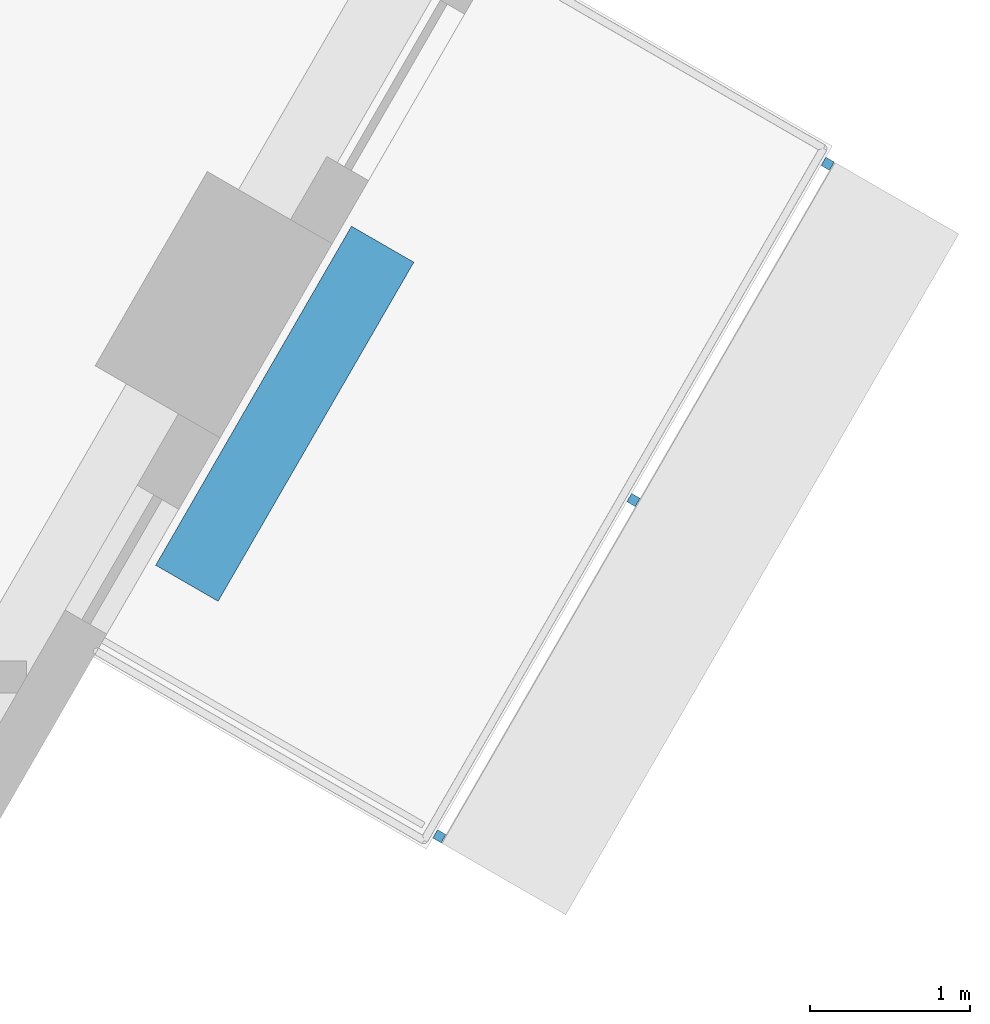
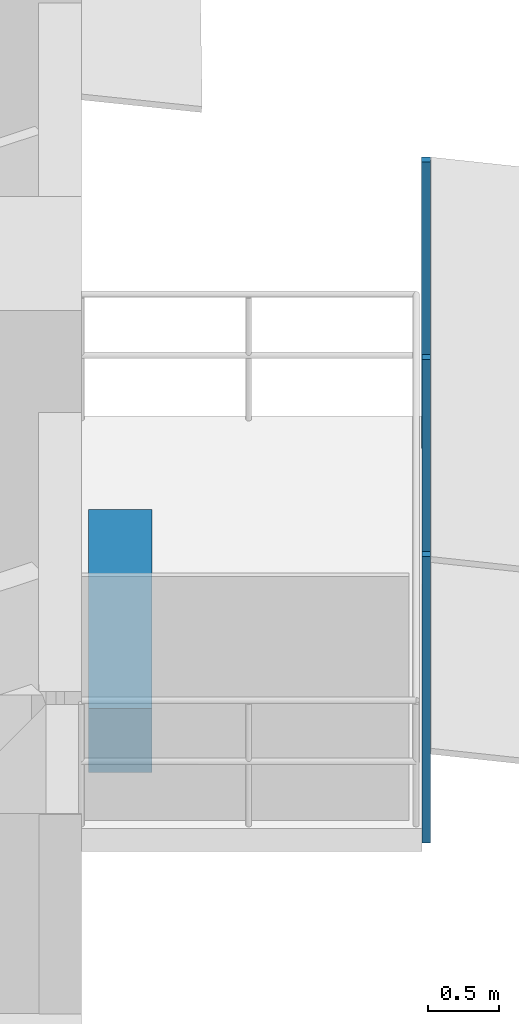
# One storey, part 10 of 14: 4 discrete accessories.
"""IFC4 building model written with IfcOpenShell, lengths in metres."""

import ifcopenshell
import ifcopenshell.guid

model = None  # the IFC model being written
_history = None  # IfcOwnerHistory: only IFC2X3 demands one
_inside = {}  # id of a spatial element -> (the spatial element, [elements in it])
_under = {}  # id of a project, library or spatial element -> (it, [spatial elements below it])
_declared = {}  # id of a project -> (the project, [libraries it declares])
_typed = {}  # id of a type object -> (the type object, [elements of that type])
_made_of = {}  # id of a material, layer set ... -> (it, [elements and type objects made of it])


def new_model(schema):
    """Start an empty IFC model of exactly this schema.

    Asked for "IFC4X3", IfcOpenShell would pick the latest addendum, in which some entities
    have other attributes; the version numbers below select the first issue.
    IFC2X3 requires an IfcOwnerHistory on every rooted entity: one is made here for all.
    """
    global model, _history
    if schema == "IFC4X3":
        model = ifcopenshell.file(schema_version=(4, 3, 0, 0))
    else:
        model = ifcopenshell.file(schema=schema)
    _inside.clear()
    _under.clear()
    _declared.clear()
    _typed.clear()
    _made_of.clear()
    _history = None
    if model.schema == "IFC2X3":
        org = make("IfcOrganization", Name="unknown")
        user = make(
            "IfcPersonAndOrganization",
            ThePerson=make("IfcPerson", FamilyName="unknown"),
            TheOrganization=org,
        )
        app = make(
            "IfcApplication",
            ApplicationDeveloper=org,
            Version="unknown",
            ApplicationFullName="unknown",
            ApplicationIdentifier="unknown",
        )
        _history = make(
            "IfcOwnerHistory",
            OwningUser=user,
            OwningApplication=app,
            ChangeAction="ADDED",
            CreationDate=0,
        )
    return model


def make(cls, **values):
    """One entity of the class cls with the attributes given. An attribute that is None is left unset."""
    return model.create_entity(
        cls, **{name: value for name, value in values.items() if value is not None}
    )


def rooted(cls, **values):
    """An entity with a GlobalId (a new one), such as an element, a storey or a relation."""
    return make(cls, GlobalId=ifcopenshell.guid.new(), OwnerHistory=_history, **values)


def si_unit(unit_type, name, prefix=None):
    """IfcSIUnit, for example si_unit("LENGTHUNIT", "METRE", prefix="MILLI")."""
    return make("IfcSIUnit", UnitType=unit_type, Prefix=prefix, Name=name)


def assignment(units):
    """IfcUnitAssignment: the units of a project."""
    return None if units is None else make("IfcUnitAssignment", Units=units)


def point(xyz):
    """IfcCartesianPoint."""
    return None if xyz is None else make("IfcCartesianPoint", Coordinates=xyz)


def direction(xyz):
    """IfcDirection."""
    return None if xyz is None else make("IfcDirection", DirectionRatios=xyz)


def frame(location, z_axis=None, x_axis=None):
    """IfcAxis2Placement3D, a coordinate frame: its origin and axes. An axis left out is left unset."""
    return make(
        "IfcAxis2Placement3D",
        Location=point(location),
        Axis=direction(z_axis),
        RefDirection=direction(x_axis),
    )


def frame_2d(location, x_axis=None):
    """IfcAxis2Placement2D, a coordinate frame in the plane: its origin and x axis."""
    return make(
        "IfcAxis2Placement2D", Location=point(location), RefDirection=direction(x_axis)
    )


def origin():
    """The frame at (0, 0, 0) with its axes left unset."""
    return frame((0.0, 0.0, 0.0))


def origin_2d():
    """The frame at (0, 0) in the plane with its x axis left unset."""
    return frame_2d((0.0, 0.0))


def place(relative_to, where):
    """IfcLocalPlacement: puts the frame where relative to a parent placement (None: the world)."""
    return make(
        "IfcLocalPlacement", PlacementRelTo=relative_to, RelativePlacement=where
    )


def context(
    kind, dimensions, precision=None, world=None, true_north=None, identifier=None
):
    """IfcGeometricRepresentationContext, for example the 3D "Model" context."""
    return make(
        "IfcGeometricRepresentationContext",
        ContextIdentifier=identifier,
        ContextType=kind,
        CoordinateSpaceDimension=dimensions,
        Precision=precision,
        WorldCoordinateSystem=world,
        TrueNorth=true_north,
    )


def subcontext(parent, identifier, kind, view, scale=None):
    """IfcGeometricRepresentationSubContext, for example "Body" below "Model"."""
    return make(
        "IfcGeometricRepresentationSubContext",
        ContextIdentifier=identifier,
        ContextType=kind,
        ParentContext=parent,
        TargetScale=scale,
        TargetView=view,
    )


def project(units=None, contexts=None):
    """IfcProject with its units and contexts."""
    return rooted(
        "IfcProject",
        Name="project",
        RepresentationContexts=contexts,
        UnitsInContext=assignment(units),
    )


def spatial(cls, under=None, at=None, **own):
    """A site, building, storey or space (cls), placed at a placement, below another one or the project."""
    s = rooted(cls, ObjectPlacement=at, **own)
    if under is not None:
        _under.setdefault(under.id(), (under, []))[1].append(s)
    return s


def profile(cls, at=None, kind="AREA", **sizes):
    """A parametric profile (cls). Its sizes go by their IFC names, for example OverallWidth=200.0."""
    return make(cls, ProfileType=kind, Position=at, **sizes)


def rectangle(**sizes):
    """IfcRectangleProfileDef."""
    return profile("IfcRectangleProfileDef", **sizes)


def extrude(swept, where, along, depth):
    """IfcExtrudedAreaSolid: the profile swept, set in the frame where, extruded along a direction by depth."""
    return make(
        "IfcExtrudedAreaSolid",
        SweptArea=swept,
        Position=where,
        ExtrudedDirection=direction(along),
        Depth=depth,
    )


def shape(context_of_items, identifier, shape_type, items):
    """IfcShapeRepresentation: the items that make up one representation, for example the "Body"."""
    return make(
        "IfcShapeRepresentation",
        ContextOfItems=context_of_items,
        RepresentationIdentifier=identifier,
        RepresentationType=shape_type,
        Items=items,
    )


def material(Name=None, Category=None):
    """IfcMaterial."""
    return make("IfcMaterial", Name=Name, Category=Category)


def made_of(thing, what):
    """Note that an element or type object is made of a material, layer set ...; save() writes the relation."""
    if what is not None:
        _made_of.setdefault(what.id(), (what, []))[1].append(thing)
    return thing


def type_object(cls, material=None, **own):
    """A type object (cls), such as IfcWallType, which elements share."""
    return made_of(rooted(cls, **own), material)


def element(
    cls,
    number,
    at=None,
    inside=None,
    cuts=None,
    type_object=None,
    material=None,
    context=None,
    identifier="Body",
    shape_type=None,
    held_by="IfcProductDefinitionShape",
    body=None,
    shapes=None,
    **own,
):
    """One element of the class cls, such as IfcWall. Its Tag is "e" and its number.

    at: its placement. inside: the storey or other place that contains it. cuts: it is an
    opening in that element (IfcRelVoidsElement). A single representation is given by context,
    identifier, shape_type and body (its items); several are given by shapes. held_by: the class
    of the entity that holds the representations. save() writes the other relations.
    """
    e = rooted(cls, Tag="e%d" % number, ObjectPlacement=at, **own)
    if body is not None:
        shapes = [shape(context, identifier, shape_type, body)]
    if shapes is not None:
        e.Representation = make(held_by, Representations=shapes)
    if inside is not None:
        _inside.setdefault(inside.id(), (inside, []))[1].append(e)
    if cuts is not None:
        rooted(
            "IfcRelVoidsElement", RelatingBuildingElement=cuts, RelatedOpeningElement=e
        )
    if type_object is not None:
        _typed.setdefault(type_object.id(), (type_object, []))[1].append(e)
    return made_of(e, material)


def aggregate(whole, parts):
    """IfcRelAggregates: a whole, such as a stair, and the parts it consists of."""
    return rooted("IfcRelAggregates", RelatingObject=whole, RelatedObjects=parts)


def save(model, path):
    """Write the relations noted so far, then the file.

    IfcRelAggregates (storeys below a building ...), IfcRelContainedInSpatialStructure (elements
    in a storey), IfcRelDefinesByType, IfcRelAssociatesMaterial and IfcRelDeclares: one each for
    every whole, place, type object, material and project.
    """
    for whole, parts in _under.values():
        aggregate(whole, parts)
    for where, things in _inside.values():
        rooted(
            "IfcRelContainedInSpatialStructure",
            RelatedElements=things,
            RelatingStructure=where,
        )
    for kind, things in _typed.values():
        rooted("IfcRelDefinesByType", RelatedObjects=things, RelatingType=kind)
    for what, things in _made_of.values():
        rooted("IfcRelAssociatesMaterial", RelatedObjects=things, RelatingMaterial=what)
    for by, libraries in _declared.values():
        rooted("IfcRelDeclares", RelatingContext=by, RelatedDefinitions=libraries)
    model.write(path)


model = new_model("IFC4")

# Units and contexts
model_context = context("Model", 3, precision=1e-05, world=origin(), true_north=direction((0.0, 1.0)))
body_context = subcontext(model_context, "Body", "Model", "MODEL_VIEW")
ifc_project = project(units=[si_unit("LENGTHUNIT", "METRE"), si_unit("AREAUNIT", "SQUARE_METRE"), si_unit("VOLUMEUNIT", "CUBIC_METRE"), si_unit("PLANEANGLEUNIT", "RADIAN"), si_unit("MASSUNIT", "GRAM", prefix="KILO")], contexts=[model_context])

# Site, building, storey
site_placement = place(None, origin())
site = spatial("IfcSite", under=ifc_project, at=site_placement, CompositionType="ELEMENT")
building_placement = place(site_placement, origin())
building = spatial("IfcBuilding", under=site, at=building_placement, Name="Nakaniwa Court", CompositionType="ELEMENT")
storey_placement = place(building_placement, frame((0.0, 0.0, 110.699951171875)))
storey = spatial("IfcBuildingStorey", under=building, at=storey_placement, Name="L29", CompositionType="ELEMENT", Elevation=110.699951171875)

# Discrete accessories
ifc_material_1 = material(Name="Black powder-coated steel bracket S275", Category="steel")
discrete_accessory_type_1 = type_object("IfcDiscreteAccessoryType", Name="Black metal louvre bracket", PredefinedType="BRACKET", material=ifc_material_1)
for number, where, z_axis, x_axis, name in (
    (1, (101.7177734375, 64.755859375, -0.229736328125), (0.0, 0.0, 1.0), (0.499974304289, 0.866040238702, 0.0), "L29 louvre bracket 02 1"),
    (2, (102.929931640625, 66.855712890625, -0.229736328125), (0.0, 0.0, 1.0), (0.499974304289, 0.866040238702, 0.0), "L29 louvre bracket 02 2"),
    (3, (104.14208984375, 68.95556640625, -0.229736328125), (0.0, 0.0, 1.0), (0.499974304289, 0.866040238702, 0.0), "L29 louvre bracket 02 3"),
):
    element("IfcDiscreteAccessory", number, at=place(storey_placement, frame(where, z_axis=z_axis, x_axis=x_axis)), inside=storey, type_object=discrete_accessory_type_1, Name=name, PredefinedType="BRACKET", context=body_context, shape_type="SweptSolid", body=[
        extrude(rectangle(XDim=0.06005859375, YDim=0.06005859375, at=origin_2d()), origin(), (0.0, 0.0, 1.0), 2.46337890625),
    ])
ifc_material_2 = material(Name="Precast concrete C40/50 planter with planted soil", Category="concrete")
discrete_accessory_type_2 = type_object("IfcDiscreteAccessoryType", Name="Planter box charcoal concrete", PredefinedType="USERDEFINED", material=ifc_material_2)
discrete_accessory_placement = place(storey_placement, frame((100.75244140625, 67.394287109375, -0.0498046875), z_axis=(0.0, 0.0, 1.0), x_axis=(0.499974304289, 0.866040238702, 0.0)))
element("IfcDiscreteAccessory", 4, at=discrete_accessory_placement, inside=storey, type_object=discrete_accessory_type_2, Name="L29 balcony PLANTER 02", ObjectType="PLANTER", PredefinedType="USERDEFINED", context=body_context, shape_type="SweptSolid", body=[
    extrude(rectangle(XDim=2.444580078125, YDim=0.449951171875, at=origin_2d()), origin(), (0.0, 0.0, 1.0), 0.550048828125),
])

save(model, "model.ifc")
